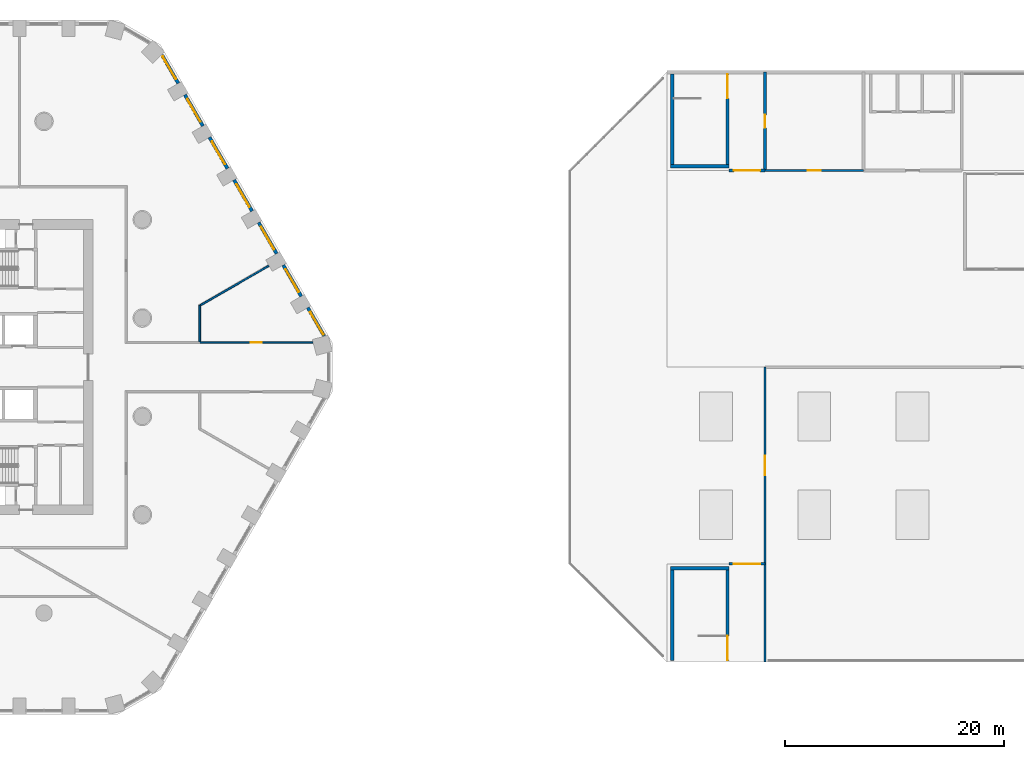
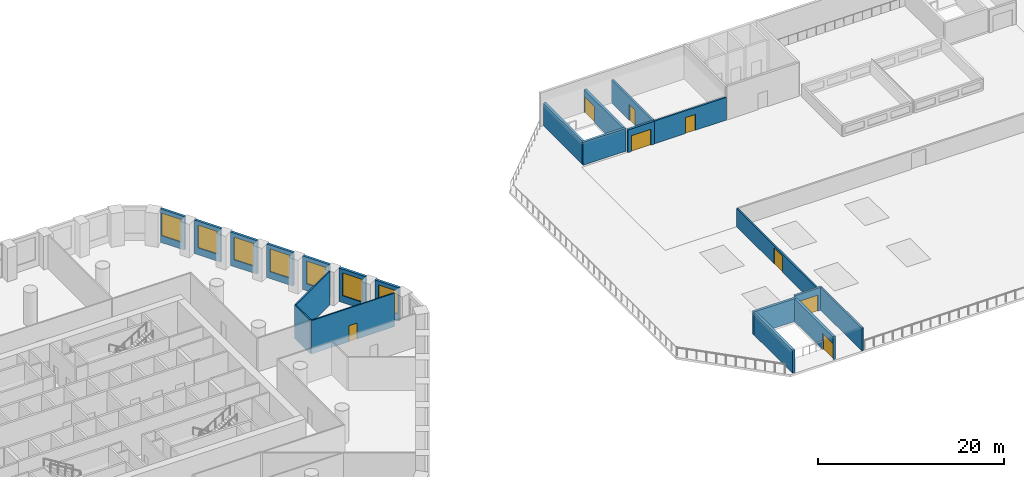
# One storey, part 13 of 21: 22 walls, 8 doors, 7 windows, 15 openings.
"""IFC4 building model written with IfcOpenShell, lengths in metres."""

import ifcopenshell
import ifcopenshell.guid

model = None  # the IFC model being written
_history = None  # IfcOwnerHistory: only IFC2X3 demands one
_inside = {}  # id of a spatial element -> (the spatial element, [elements in it])
_under = {}  # id of a project, library or spatial element -> (it, [spatial elements below it])
_declared = {}  # id of a project -> (the project, [libraries it declares])
_typed = {}  # id of a type object -> (the type object, [elements of that type])
_made_of = {}  # id of a material, layer set ... -> (it, [elements and type objects made of it])


def new_model(schema):
    """Start an empty IFC model of exactly this schema.

    Asked for "IFC4X3", IfcOpenShell would pick the latest addendum, in which some entities
    have other attributes; the version numbers below select the first issue.
    IFC2X3 requires an IfcOwnerHistory on every rooted entity: one is made here for all.
    """
    global model, _history
    if schema == "IFC4X3":
        model = ifcopenshell.file(schema_version=(4, 3, 0, 0))
    else:
        model = ifcopenshell.file(schema=schema)
    _inside.clear()
    _under.clear()
    _declared.clear()
    _typed.clear()
    _made_of.clear()
    _history = None
    if model.schema == "IFC2X3":
        org = make("IfcOrganization", Name="unknown")
        user = make(
            "IfcPersonAndOrganization",
            ThePerson=make("IfcPerson", FamilyName="unknown"),
            TheOrganization=org,
        )
        app = make(
            "IfcApplication",
            ApplicationDeveloper=org,
            Version="unknown",
            ApplicationFullName="unknown",
            ApplicationIdentifier="unknown",
        )
        _history = make(
            "IfcOwnerHistory",
            OwningUser=user,
            OwningApplication=app,
            ChangeAction="ADDED",
            CreationDate=0,
        )
    return model


def make(cls, **values):
    """One entity of the class cls with the attributes given. An attribute that is None is left unset."""
    return model.create_entity(
        cls, **{name: value for name, value in values.items() if value is not None}
    )


def rooted(cls, **values):
    """An entity with a GlobalId (a new one), such as an element, a storey or a relation."""
    return make(cls, GlobalId=ifcopenshell.guid.new(), OwnerHistory=_history, **values)


def si_unit(unit_type, name, prefix=None):
    """IfcSIUnit, for example si_unit("LENGTHUNIT", "METRE", prefix="MILLI")."""
    return make("IfcSIUnit", UnitType=unit_type, Prefix=prefix, Name=name)


def assignment(units):
    """IfcUnitAssignment: the units of a project."""
    return None if units is None else make("IfcUnitAssignment", Units=units)


def point(xyz):
    """IfcCartesianPoint."""
    return None if xyz is None else make("IfcCartesianPoint", Coordinates=xyz)


def direction(xyz):
    """IfcDirection."""
    return None if xyz is None else make("IfcDirection", DirectionRatios=xyz)


def frame(location, z_axis=None, x_axis=None):
    """IfcAxis2Placement3D, a coordinate frame: its origin and axes. An axis left out is left unset."""
    return make(
        "IfcAxis2Placement3D",
        Location=point(location),
        Axis=direction(z_axis),
        RefDirection=direction(x_axis),
    )


def frame_2d(location, x_axis=None):
    """IfcAxis2Placement2D, a coordinate frame in the plane: its origin and x axis."""
    return make(
        "IfcAxis2Placement2D", Location=point(location), RefDirection=direction(x_axis)
    )


def origin():
    """The frame at (0, 0, 0) with its axes left unset."""
    return frame((0.0, 0.0, 0.0))


def place(relative_to, where):
    """IfcLocalPlacement: puts the frame where relative to a parent placement (None: the world)."""
    return make(
        "IfcLocalPlacement", PlacementRelTo=relative_to, RelativePlacement=where
    )


def context(
    kind, dimensions, precision=None, world=None, true_north=None, identifier=None
):
    """IfcGeometricRepresentationContext, for example the 3D "Model" context."""
    return make(
        "IfcGeometricRepresentationContext",
        ContextIdentifier=identifier,
        ContextType=kind,
        CoordinateSpaceDimension=dimensions,
        Precision=precision,
        WorldCoordinateSystem=world,
        TrueNorth=true_north,
    )


def subcontext(parent, identifier, kind, view, scale=None):
    """IfcGeometricRepresentationSubContext, for example "Body" below "Model"."""
    return make(
        "IfcGeometricRepresentationSubContext",
        ContextIdentifier=identifier,
        ContextType=kind,
        ParentContext=parent,
        TargetScale=scale,
        TargetView=view,
    )


def project(units=None, contexts=None):
    """IfcProject with its units and contexts."""
    return rooted(
        "IfcProject",
        Name="project",
        RepresentationContexts=contexts,
        UnitsInContext=assignment(units),
    )


def spatial(cls, under=None, at=None, **own):
    """A site, building, storey or space (cls), placed at a placement, below another one or the project."""
    s = rooted(cls, ObjectPlacement=at, **own)
    if under is not None:
        _under.setdefault(under.id(), (under, []))[1].append(s)
    return s


def profile(cls, at=None, kind="AREA", **sizes):
    """A parametric profile (cls). Its sizes go by their IFC names, for example OverallWidth=200.0."""
    return make(cls, ProfileType=kind, Position=at, **sizes)


def rectangle(**sizes):
    """IfcRectangleProfileDef."""
    return profile("IfcRectangleProfileDef", **sizes)


def extrude(swept, where, along, depth):
    """IfcExtrudedAreaSolid: the profile swept, set in the frame where, extruded along a direction by depth."""
    return make(
        "IfcExtrudedAreaSolid",
        SweptArea=swept,
        Position=where,
        ExtrudedDirection=direction(along),
        Depth=depth,
    )


def shape(context_of_items, identifier, shape_type, items):
    """IfcShapeRepresentation: the items that make up one representation, for example the "Body"."""
    return make(
        "IfcShapeRepresentation",
        ContextOfItems=context_of_items,
        RepresentationIdentifier=identifier,
        RepresentationType=shape_type,
        Items=items,
    )


def material(Name=None, Category=None):
    """IfcMaterial."""
    return make("IfcMaterial", Name=Name, Category=Category)


def layer(
    of_material, thickness, ventilated=None, Name=None, Category=None, Priority=None
):
    """IfcMaterialLayer: one layer of a wall or slab, of a material (None: an air gap)."""
    return make(
        "IfcMaterialLayer",
        Material=of_material,
        LayerThickness=thickness,
        IsVentilated=ventilated,
        Name=Name,
        Category=Category,
        Priority=Priority,
    )


def layer_set(layers, Name=None):
    """IfcMaterialLayerSet."""
    return make("IfcMaterialLayerSet", MaterialLayers=layers, LayerSetName=Name)


def made_of(thing, what):
    """Note that an element or type object is made of a material, layer set ...; save() writes the relation."""
    if what is not None:
        _made_of.setdefault(what.id(), (what, []))[1].append(thing)
    return thing


def type_object(cls, material=None, **own):
    """A type object (cls), such as IfcWallType, which elements share."""
    return made_of(rooted(cls, **own), material)


def element(
    cls,
    number,
    at=None,
    inside=None,
    cuts=None,
    type_object=None,
    material=None,
    context=None,
    identifier="Body",
    shape_type=None,
    held_by="IfcProductDefinitionShape",
    body=None,
    shapes=None,
    **own,
):
    """One element of the class cls, such as IfcWall. Its Tag is "e" and its number.

    at: its placement. inside: the storey or other place that contains it. cuts: it is an
    opening in that element (IfcRelVoidsElement). A single representation is given by context,
    identifier, shape_type and body (its items); several are given by shapes. held_by: the class
    of the entity that holds the representations. save() writes the other relations.
    """
    e = rooted(cls, Tag="e%d" % number, ObjectPlacement=at, **own)
    if body is not None:
        shapes = [shape(context, identifier, shape_type, body)]
    if shapes is not None:
        e.Representation = make(held_by, Representations=shapes)
    if inside is not None:
        _inside.setdefault(inside.id(), (inside, []))[1].append(e)
    if cuts is not None:
        rooted(
            "IfcRelVoidsElement", RelatingBuildingElement=cuts, RelatedOpeningElement=e
        )
    if type_object is not None:
        _typed.setdefault(type_object.id(), (type_object, []))[1].append(e)
    return made_of(e, material)


def fill(opening, filler):
    """IfcRelFillsElement: the door or window that sits in an opening."""
    return rooted(
        "IfcRelFillsElement",
        RelatingOpeningElement=opening,
        RelatedBuildingElement=filler,
    )


def aggregate(whole, parts):
    """IfcRelAggregates: a whole, such as a stair, and the parts it consists of."""
    return rooted("IfcRelAggregates", RelatingObject=whole, RelatedObjects=parts)


def save(model, path):
    """Write the relations noted so far, then the file.

    IfcRelAggregates (storeys below a building ...), IfcRelContainedInSpatialStructure (elements
    in a storey), IfcRelDefinesByType, IfcRelAssociatesMaterial and IfcRelDeclares: one each for
    every whole, place, type object, material and project.
    """
    for whole, parts in _under.values():
        aggregate(whole, parts)
    for where, things in _inside.values():
        rooted(
            "IfcRelContainedInSpatialStructure",
            RelatedElements=things,
            RelatingStructure=where,
        )
    for kind, things in _typed.values():
        rooted("IfcRelDefinesByType", RelatedObjects=things, RelatingType=kind)
    for what, things in _made_of.values():
        rooted("IfcRelAssociatesMaterial", RelatedObjects=things, RelatingMaterial=what)
    for by, libraries in _declared.values():
        rooted("IfcRelDeclares", RelatingContext=by, RelatedDefinitions=libraries)
    model.write(path)


model = new_model("IFC4")

# Units and contexts
model_context = context("Model", 3, precision=1e-05, world=origin(), true_north=direction((0.0, 1.0)))
body_context = subcontext(model_context, "Body", "Model", "MODEL_VIEW")
ifc_project = project(units=[si_unit("LENGTHUNIT", "METRE"), si_unit("AREAUNIT", "SQUARE_METRE"), si_unit("VOLUMEUNIT", "CUBIC_METRE"), si_unit("PLANEANGLEUNIT", "RADIAN"), si_unit("MASSUNIT", "GRAM", prefix="KILO")], contexts=[model_context])

# Site, building, storey
site_placement = place(None, origin())
site = spatial("IfcSite", under=ifc_project, at=site_placement, CompositionType="ELEMENT")
building_placement = place(site_placement, origin())
building = spatial("IfcBuilding", under=site, at=building_placement, Name="Dhurran Vertical Campus", CompositionType="ELEMENT")
storey_placement = place(building_placement, frame((0.0, 0.0, 20.39990234375)))
storey = spatial("IfcBuildingStorey", under=building, at=storey_placement, Name="L04", CompositionType="ELEMENT", Elevation=20.39990234375)

# Wall, opening, window
ifc_material_1 = material(Name="Precast concrete C50/60", Category="concrete")
ifc_layer_1 = layer(ifc_material_1, 0.300048828125)
ifc_layer_set_1 = layer_set([ifc_layer_1], Name="Precast concrete C50/60")
wall_type_1 = type_object("IfcWallType", Name="Precast spandrel wall 300", PredefinedType="SOLIDWALL", material=ifc_layer_set_1)
wall_1_placement = place(storey_placement, frame((39.138671875, 2.86376953125, 0.0), z_axis=(0.0, 0.0, 1.0), x_axis=(-0.49999586137, 0.866027793211, 0.0)))
wall_1 = element("IfcWall", 1, at=wall_1_placement, inside=storey, type_object=wall_type_1, Name="EW1 L04.18", PredefinedType="SOLIDWALL", context=body_context, shape_type="SweptSolid", body=[
    extrude(rectangle(XDim=2.98876953125, YDim=0.300048828125, at=frame_2d((1.494384765625, 0.0))), origin(), (0.0, 0.0, 1.0), 4.400146484375),
])
opening_1_placement = place(wall_1_placement, frame((0.139404296875, 0.0, 0.89990234375)))
opening_1 = element("IfcOpeningElement", 2, at=opening_1_placement, cuts=wall_1, Name="Opening WT2", PredefinedType="OPENING", context=body_context, shape_type="SweptSolid", body=[
    extrude(rectangle(XDim=2.39990234375, YDim=3.0, at=frame_2d((1.199951171875, 1.5))), frame((0.0, 0.159912109375, 0.0), z_axis=(0.0, -1.0, 0.0), x_axis=(1.0, 0.0, 0.0)), (0.0, 0.0, 1.0), 0.320068359375),
])
ifc_material_2 = material(Name="Aluminium frame with solar-control glass", Category="aluminium")
window_type = type_object("IfcWindowType", Name="Podium window 2400 x 3000", PartitioningType="SINGLE_PANEL", PredefinedType="WINDOW", material=ifc_material_2)
window_1_placement = place(opening_1_placement, origin())
window_1 = element("IfcWindow", 3, at=window_1_placement, inside=storey, type_object=window_type, Name="WT2 L04.18", OverallHeight=3.0, OverallWidth=2.39990234375, PartitioningType="SINGLE_PANEL", PredefinedType="WINDOW", context=body_context, shape_type="SweptSolid", body=[
    extrude(rectangle(XDim=2.39990234375, YDim=3.0, at=frame_2d((1.199951171875, 1.5))), frame((0.0, 0.030029296875, 0.0), z_axis=(0.0, -1.0, 0.0), x_axis=(1.0, 0.0, 0.0)), (0.0, 0.0, 1.0), 0.06005859375),
])
fill(opening_1, window_1)

wall_2_placement = place(storey_placement, frame((37.043701171875, 6.4921875, 0.0), z_axis=(0.0, 0.0, 1.0), x_axis=(-0.499991515992, 0.866030301974, 0.0)))
wall_2 = element("IfcWall", 4, at=wall_2_placement, inside=storey, type_object=wall_type_1, Name="EW1 L04.19", PredefinedType="SOLIDWALL", context=body_context, shape_type="SweptSolid", body=[
    extrude(rectangle(XDim=3.298828125, YDim=0.300048828125, at=frame_2d((1.6494140625, 0.0))), origin(), (0.0, 0.0, 1.0), 4.400146484375),
])
opening_2_placement = place(wall_2_placement, frame((0.449462890625, 0.0, 0.89990234375)))
opening_2 = element("IfcOpeningElement", 5, at=opening_2_placement, cuts=wall_2, Name="Opening WT2", PredefinedType="OPENING", context=body_context, shape_type="SweptSolid", body=[
    extrude(rectangle(XDim=2.39990234375, YDim=3.0, at=frame_2d((1.199951171875, 1.5))), frame((0.0, 0.159912109375, 0.0), z_axis=(0.0, -1.0, 0.0), x_axis=(1.0, 0.0, 0.0)), (0.0, 0.0, 1.0), 0.320068359375),
])
window_2_placement = place(opening_2_placement, origin())
window_2 = element("IfcWindow", 6, at=window_2_placement, inside=storey, type_object=window_type, Name="WT2 L04.19", OverallHeight=3.0, OverallWidth=2.39990234375, PartitioningType="SINGLE_PANEL", PredefinedType="WINDOW", context=body_context, shape_type="SweptSolid", body=[
    extrude(rectangle(XDim=2.39990234375, YDim=3.0, at=frame_2d((1.199951171875, 1.5))), frame((0.0, 0.030029296875, 0.0), z_axis=(0.0, -1.0, 0.0), x_axis=(1.0, 0.0, 0.0)), (0.0, 0.0, 1.0), 0.06005859375),
])
fill(opening_2, window_2)

wall_3_placement = place(storey_placement, frame((34.793701171875, 10.389404296875, 0.0), z_axis=(0.0, 0.0, 1.0), x_axis=(-0.499991515992, 0.866030301974, 0.0)))
wall_3 = element("IfcWall", 7, at=wall_3_placement, inside=storey, type_object=wall_type_1, Name="EW1 L04.20", PredefinedType="SOLIDWALL", context=body_context, shape_type="SweptSolid", body=[
    extrude(rectangle(XDim=3.298828125, YDim=0.300048828125, at=frame_2d((1.6494140625, 0.0))), origin(), (0.0, 0.0, 1.0), 4.400146484375),
])
opening_3_placement = place(wall_3_placement, frame((0.449462890625, 0.0, 0.89990234375)))
opening_3 = element("IfcOpeningElement", 8, at=opening_3_placement, cuts=wall_3, Name="Opening WT2", PredefinedType="OPENING", context=body_context, shape_type="SweptSolid", body=[
    extrude(rectangle(XDim=2.39990234375, YDim=3.0, at=frame_2d((1.199951171875, 1.5))), frame((0.0, 0.159912109375, 0.0), z_axis=(0.0, -1.0, 0.0), x_axis=(1.0, 0.0, 0.0)), (0.0, 0.0, 1.0), 0.320068359375),
])
window_3_placement = place(opening_3_placement, origin())
window_3 = element("IfcWindow", 9, at=window_3_placement, inside=storey, type_object=window_type, Name="WT2 L04.20", OverallHeight=3.0, OverallWidth=2.39990234375, PartitioningType="SINGLE_PANEL", PredefinedType="WINDOW", context=body_context, shape_type="SweptSolid", body=[
    extrude(rectangle(XDim=2.39990234375, YDim=3.0, at=frame_2d((1.199951171875, 1.5))), frame((0.0, 0.030029296875, 0.0), z_axis=(0.0, -1.0, 0.0), x_axis=(1.0, 0.0, 0.0)), (0.0, 0.0, 1.0), 0.06005859375),
])
fill(opening_3, window_3)

wall_4_placement = place(storey_placement, frame((32.543701171875, 14.286376953125, 0.0), z_axis=(0.0, 0.0, 1.0), x_axis=(-0.499991515992, 0.866030301974, 0.0)))
wall_4 = element("IfcWall", 10, at=wall_4_placement, inside=storey, type_object=wall_type_1, Name="EW1 L04.21", PredefinedType="SOLIDWALL", context=body_context, shape_type="SweptSolid", body=[
    extrude(rectangle(XDim=3.298828125, YDim=0.300048828125, at=frame_2d((1.6494140625, 0.0))), origin(), (0.0, 0.0, 1.0), 4.400146484375),
])
opening_4_placement = place(wall_4_placement, frame((0.449462890625, 0.0, 0.89990234375)))
opening_4 = element("IfcOpeningElement", 11, at=opening_4_placement, cuts=wall_4, Name="Opening WT2", PredefinedType="OPENING", context=body_context, shape_type="SweptSolid", body=[
    extrude(rectangle(XDim=2.39990234375, YDim=3.0, at=frame_2d((1.199951171875, 1.5))), frame((0.0, 0.159912109375, 0.0), z_axis=(0.0, -1.0, 0.0), x_axis=(1.0, 0.0, 0.0)), (0.0, 0.0, 1.0), 0.320068359375),
])
window_4_placement = place(opening_4_placement, origin())
window_4 = element("IfcWindow", 12, at=window_4_placement, inside=storey, type_object=window_type, Name="WT2 L04.21", OverallHeight=3.0, OverallWidth=2.39990234375, PartitioningType="SINGLE_PANEL", PredefinedType="WINDOW", context=body_context, shape_type="SweptSolid", body=[
    extrude(rectangle(XDim=2.39990234375, YDim=3.0, at=frame_2d((1.199951171875, 1.5))), frame((0.0, 0.030029296875, 0.0), z_axis=(0.0, -1.0, 0.0), x_axis=(1.0, 0.0, 0.0)), (0.0, 0.0, 1.0), 0.06005859375),
])
fill(opening_4, window_4)

wall_5_placement = place(storey_placement, frame((30.293701171875, 18.18359375, 0.0), z_axis=(0.0, 0.0, 1.0), x_axis=(-0.499991515992, 0.866030301974, 0.0)))
wall_5 = element("IfcWall", 13, at=wall_5_placement, inside=storey, type_object=wall_type_1, Name="EW1 L04.22", PredefinedType="SOLIDWALL", context=body_context, shape_type="SweptSolid", body=[
    extrude(rectangle(XDim=3.298828125, YDim=0.300048828125, at=frame_2d((1.6494140625, 0.0))), origin(), (0.0, 0.0, 1.0), 4.400146484375),
])
opening_5_placement = place(wall_5_placement, frame((0.449462890625, 0.0, 0.89990234375)))
opening_5 = element("IfcOpeningElement", 14, at=opening_5_placement, cuts=wall_5, Name="Opening WT2", PredefinedType="OPENING", context=body_context, shape_type="SweptSolid", body=[
    extrude(rectangle(XDim=2.39990234375, YDim=3.0, at=frame_2d((1.199951171875, 1.5))), frame((0.0, 0.159912109375, 0.0), z_axis=(0.0, -1.0, 0.0), x_axis=(1.0, 0.0, 0.0)), (0.0, 0.0, 1.0), 0.320068359375),
])
window_5_placement = place(opening_5_placement, origin())
window_5 = element("IfcWindow", 15, at=window_5_placement, inside=storey, type_object=window_type, Name="WT2 L04.22", OverallHeight=3.0, OverallWidth=2.39990234375, PartitioningType="SINGLE_PANEL", PredefinedType="WINDOW", context=body_context, shape_type="SweptSolid", body=[
    extrude(rectangle(XDim=2.39990234375, YDim=3.0, at=frame_2d((1.199951171875, 1.5))), frame((0.0, 0.030029296875, 0.0), z_axis=(0.0, -1.0, 0.0), x_axis=(1.0, 0.0, 0.0)), (0.0, 0.0, 1.0), 0.06005859375),
])
fill(opening_5, window_5)

wall_6_placement = place(storey_placement, frame((28.043701171875, 22.08056640625, 0.0), z_axis=(0.0, 0.0, 1.0), x_axis=(-0.499991515992, 0.866030301974, 0.0)))
wall_6 = element("IfcWall", 16, at=wall_6_placement, inside=storey, type_object=wall_type_1, Name="EW1 L04.23", PredefinedType="SOLIDWALL", context=body_context, shape_type="SweptSolid", body=[
    extrude(rectangle(XDim=3.298828125, YDim=0.300048828125, at=frame_2d((1.6494140625, 0.0))), origin(), (0.0, 0.0, 1.0), 4.400146484375),
])
opening_6_placement = place(wall_6_placement, frame((0.449462890625, 0.0, 0.89990234375)))
opening_6 = element("IfcOpeningElement", 17, at=opening_6_placement, cuts=wall_6, Name="Opening WT2", PredefinedType="OPENING", context=body_context, shape_type="SweptSolid", body=[
    extrude(rectangle(XDim=2.39990234375, YDim=3.0, at=frame_2d((1.199951171875, 1.5))), frame((0.0, 0.159912109375, 0.0), z_axis=(0.0, -1.0, 0.0), x_axis=(1.0, 0.0, 0.0)), (0.0, 0.0, 1.0), 0.320068359375),
])
window_6_placement = place(opening_6_placement, origin())
window_6 = element("IfcWindow", 18, at=window_6_placement, inside=storey, type_object=window_type, Name="WT2 L04.23", OverallHeight=3.0, OverallWidth=2.39990234375, PartitioningType="SINGLE_PANEL", PredefinedType="WINDOW", context=body_context, shape_type="SweptSolid", body=[
    extrude(rectangle(XDim=2.39990234375, YDim=3.0, at=frame_2d((1.199951171875, 1.5))), frame((0.0, 0.030029296875, 0.0), z_axis=(0.0, -1.0, 0.0), x_axis=(1.0, 0.0, 0.0)), (0.0, 0.0, 1.0), 0.06005859375),
])
fill(opening_6, window_6)

wall_7_placement = place(storey_placement, frame((25.793701171875, 25.977783203125, 0.0), z_axis=(0.0, 0.0, 1.0), x_axis=(-0.49999586137, 0.866027793211, 0.0)))
wall_7 = element("IfcWall", 19, at=wall_7_placement, inside=storey, type_object=wall_type_1, Name="EW1 L04.24", PredefinedType="SOLIDWALL", context=body_context, shape_type="SweptSolid", body=[
    extrude(rectangle(XDim=2.98876953125, YDim=0.300048828125, at=frame_2d((1.494384765625, 0.0))), origin(), (0.0, 0.0, 1.0), 4.400146484375),
])
opening_7_placement = place(wall_7_placement, frame((0.449462890625, 0.0, 0.89990234375)))
opening_7 = element("IfcOpeningElement", 20, at=opening_7_placement, cuts=wall_7, Name="Opening WT2", PredefinedType="OPENING", context=body_context, shape_type="SweptSolid", body=[
    extrude(rectangle(XDim=2.39990234375, YDim=3.0, at=frame_2d((1.199951171875, 1.5))), frame((0.0, 0.159912109375, 0.0), z_axis=(0.0, -1.0, 0.0), x_axis=(1.0, 0.0, 0.0)), (0.0, 0.0, 1.0), 0.320068359375),
])
window_7_placement = place(opening_7_placement, origin())
window_7 = element("IfcWindow", 21, at=window_7_placement, inside=storey, type_object=window_type, Name="WT2 L04.24", OverallHeight=3.0, OverallWidth=2.39990234375, PartitioningType="SINGLE_PANEL", PredefinedType="WINDOW", context=body_context, shape_type="SweptSolid", body=[
    extrude(rectangle(XDim=2.39990234375, YDim=3.0, at=frame_2d((1.199951171875, 1.5))), frame((0.0, 0.030029296875, 0.0), z_axis=(0.0, -1.0, 0.0), x_axis=(1.0, 0.0, 0.0)), (0.0, 0.0, 1.0), 0.06005859375),
])
fill(opening_7, window_7)

# Wall, opening, door
ifc_material_3 = material(Name="Gypsum board corridor wall on steel studs", Category="steel")
ifc_layer_2 = layer(ifc_material_3, 0.14990234375)
ifc_layer_set_2 = layer_set([ifc_layer_2], Name="Gypsum board corridor wall on steel studs")
wall_type_2 = type_object("IfcWallType", Name="fl-CW-150 corridor wall", PredefinedType="PARTITIONING", material=ifc_layer_set_2)
wall_8_placement = place(storey_placement, frame((27.75, 2.25, 0.0), z_axis=(0.0, 0.0, 1.0), x_axis=(1.0, 0.0, 0.0)))
wall_8 = element("IfcWall", 22, at=wall_8_placement, inside=storey, type_object=wall_type_2, Name="Partition 04-42", PredefinedType="PARTITIONING", context=body_context, shape_type="SweptSolid", body=[
    extrude(rectangle(XDim=10.365478515625, YDim=0.14990234375, at=frame_2d((5.1826171875, 0.0))), origin(), (0.0, 0.0, 1.0), 4.400146484375),
])
opening_8_placement = place(wall_8_placement, frame((4.6826171875, 0.0, 0.0)))
opening_8 = element("IfcOpeningElement", 23, at=opening_8_placement, cuts=wall_8, Name="Opening PD04.15", PredefinedType="OPENING", context=body_context, shape_type="SweptSolid", body=[
    extrude(rectangle(XDim=1.0, YDim=2.10009765625, at=frame_2d((0.5, 1.050048828125))), frame((0.0, 0.0849609375, 0.0), z_axis=(0.0, -1.0, 0.0), x_axis=(1.0, 0.0, 0.0)), (0.0, 0.0, 1.0), 0.169921875),
])
ifc_material_4 = material(Name="Solid-core timber door set, fire-rated", Category="wood")
door_type_1 = type_object("IfcDoorType", Name="fl-D-1000x2100", OperationType="SINGLE_SWING_LEFT", PredefinedType="DOOR", material=ifc_material_4)
door_1_placement = place(opening_8_placement, origin())
door_1 = element("IfcDoor", 24, at=door_1_placement, inside=storey, type_object=door_type_1, Name="Door 04.15", OperationType="SINGLE_SWING_RIGHT", OverallHeight=2.10009765625, OverallWidth=1.0, PredefinedType="DOOR", context=body_context, shape_type="SweptSolid", body=[
    extrude(rectangle(XDim=1.0, YDim=2.10009765625, at=frame_2d((0.5, 1.050048828125))), frame((0.0, 0.02490234375, 0.0), z_axis=(0.0, -1.0, 0.0), x_axis=(1.0, 0.0, 0.0)), (0.0, 0.0, 1.0), 0.050048828125),
])
fill(opening_8, door_1)

# Walls
ifc_material_5 = material(Name="Gypsum board partition on steel studs", Category="steel")
ifc_layer_3 = layer(ifc_material_5, 0.14990234375)
ifc_layer_set_3 = layer_set([ifc_layer_3], Name="Gypsum board partition on steel studs")
wall_type_3 = type_object("IfcWallType", Name="fl-PW-150 fixed partition", PredefinedType="PARTITIONING", material=ifc_layer_set_3)
wall_9_placement = place(storey_placement, frame((27.75, 5.654052734375, 0.0), z_axis=(0.0, 0.0, 1.0), x_axis=(0.0, -1.0, 0.0)))
element("IfcWall", 25, at=wall_9_placement, inside=storey, type_object=wall_type_3, Name="Partition 04-41", PredefinedType="PARTITIONING", context=body_context, shape_type="SweptSolid", body=[
    extrude(rectangle(XDim=3.3291015625, YDim=0.14990234375, at=frame_2d((1.66455078125, 0.0))), origin(), (0.0, 0.0, 1.0), 4.400146484375),
])
wall_10_placement = place(storey_placement, frame((34.080810546875, 9.2841796875, 0.0), z_axis=(0.0, 0.0, 1.0), x_axis=(-0.866020942329, -0.500007727388, 0.0)))
element("IfcWall", 26, at=wall_10_placement, inside=storey, type_object=wall_type_3, Name="Partition 04-43", PredefinedType="PARTITIONING", context=body_context, shape_type="SweptSolid", body=[
    extrude(rectangle(XDim=7.2353515625, YDim=0.14990234375, at=frame_2d((3.61767578125, 0.0))), origin(), (0.0, 0.0, 1.0), 4.400146484375),
])

# Wall, opening, door
ifc_material_6 = material(Name="Masonry blockwork", Category="masonry")
ifc_layer_4 = layer(ifc_material_6, 0.199951171875)
ifc_layer_set_4 = layer_set([ifc_layer_4], Name="Masonry blockwork")
wall_type_4 = type_object("IfcWallType", Name="hl-partition blockwork 200 EI 60", PredefinedType="PARTITIONING", material=ifc_layer_set_4)
wall_11_placement = place(storey_placement, frame((79.5, 18.0, 0.0), z_axis=(0.0, 0.0, 1.0), x_axis=(1.0, 0.0, 0.0)))
wall_11 = element("IfcWall", 27, at=wall_11_placement, inside=storey, type_object=wall_type_4, Name="Hall partition L04-007", PredefinedType="PARTITIONING", context=body_context, shape_type="SweptSolid", body=[
    extrude(rectangle(XDim=9.0, YDim=0.199951171875, at=frame_2d((4.5, 0.0))), origin(), (0.0, 0.0, 1.0), 3.0),
])
opening_9_placement = place(wall_11_placement, frame((3.89990234375, 0.0, 0.0)))
opening_9 = element("IfcOpeningElement", 28, at=opening_9_placement, cuts=wall_11, Name="Opening HD405", PredefinedType="OPENING", context=body_context, shape_type="SweptSolid", body=[
    extrude(rectangle(XDim=1.199951171875, YDim=2.10009765625, at=frame_2d((0.60009765625, 1.050048828125))), frame((0.0, 0.10986328125, 0.0), z_axis=(0.0, -1.0, 0.0), x_axis=(1.0, 0.0, 0.0)), (0.0, 0.0, 1.0), 0.219970703125),
])
ifc_material_7 = material(Name="Fire-rated steel door set", Category="steel")
door_type_2 = type_object("IfcDoorType", Name="hl-door 1200x2100 single FD30S", OperationType="NOTDEFINED", PredefinedType="DOOR", material=ifc_material_7)
door_2_placement = place(opening_9_placement, origin())
door_2 = element("IfcDoor", 29, at=door_2_placement, inside=storey, type_object=door_type_2, Name="Door HD405", OperationType="SINGLE_SWING_LEFT", OverallHeight=2.10009765625, OverallWidth=1.199951171875, PredefinedType="DOOR", context=body_context, shape_type="SweptSolid", body=[
    extrude(rectangle(XDim=1.199951171875, YDim=2.10009765625, at=frame_2d((0.60009765625, 1.050048828125))), frame((0.0, 0.02490234375, 0.0), z_axis=(0.0, -1.0, 0.0), x_axis=(1.0, 0.0, 0.0)), (0.0, 0.0, 1.0), 0.050048828125),
])
fill(opening_9, door_2)

ifc_material_8 = material(Name="Masonry blockwork", Category="masonry")
ifc_layer_5 = layer(ifc_material_8, 0.25)
ifc_layer_set_5 = layer_set([ifc_layer_5], Name="Masonry blockwork")
wall_type_5 = type_object("IfcWallType", Name="hl-partition blockwork 250 EI 120", PredefinedType="PARTITIONING", material=ifc_layer_set_5)
wall_12_placement = place(storey_placement, frame((76.199951171875, -18.0, 0.0), z_axis=(0.0, 0.0, 1.0), x_axis=(1.0, 0.0, 0.0)))
wall_12 = element("IfcWall", 30, at=wall_12_placement, inside=storey, type_object=wall_type_5, Name="Hall partition L04-001", PredefinedType="PARTITIONING", context=body_context, shape_type="SweptSolid", body=[
    extrude(rectangle(XDim=3.300048828125, YDim=0.25, at=frame_2d((1.64990234375, 0.0))), origin(), (0.0, 0.0, 1.0), 3.0),
])
opening_10_placement = place(wall_12_placement, frame((0.449951171875, 0.0, 0.0)))
opening_10 = element("IfcOpeningElement", 31, at=opening_10_placement, cuts=wall_12, Name="Opening HD406", PredefinedType="OPENING", context=body_context, shape_type="SweptSolid", body=[
    extrude(rectangle(XDim=2.39990234375, YDim=2.10009765625, at=frame_2d((1.199951171875, 1.050048828125))), frame((0.0, 0.135009765625, 0.0), z_axis=(0.0, -1.0, 0.0), x_axis=(1.0, 0.0, 0.0)), (0.0, 0.0, 1.0), 0.27001953125),
])
ifc_material_9 = material(Name="Fire-rated steel door set", Category="steel")
door_type_3 = type_object("IfcDoorType", Name="hl-door 2400x2100 double FD90", OperationType="NOTDEFINED", PredefinedType="DOOR", material=ifc_material_9)
door_3_placement = place(opening_10_placement, origin())
door_3 = element("IfcDoor", 32, at=door_3_placement, inside=storey, type_object=door_type_3, Name="Door HD406", OperationType="DOUBLE_DOOR_SINGLE_SWING", OverallHeight=2.10009765625, OverallWidth=2.39990234375, PredefinedType="DOOR", context=body_context, shape_type="SweptSolid", body=[
    extrude(rectangle(XDim=2.39990234375, YDim=2.10009765625, at=frame_2d((1.199951171875, 1.050048828125))), frame((0.0, 0.02490234375, 0.0), z_axis=(0.0, -1.0, 0.0), x_axis=(1.0, 0.0, 0.0)), (0.0, 0.0, 1.0), 0.050048828125),
])
fill(opening_10, door_3)

wall_13_placement = place(storey_placement, frame((76.199951171875, 18.0, 0.0), z_axis=(0.0, 0.0, 1.0), x_axis=(1.0, 0.0, 0.0)))
wall_13 = element("IfcWall", 33, at=wall_13_placement, inside=storey, type_object=wall_type_5, Name="Hall partition L04-002", PredefinedType="PARTITIONING", context=body_context, shape_type="SweptSolid", body=[
    extrude(rectangle(XDim=3.300048828125, YDim=0.25, at=frame_2d((1.64990234375, 0.0))), origin(), (0.0, 0.0, 1.0), 3.0),
])
opening_11_placement = place(wall_13_placement, frame((0.449951171875, 0.0, 0.0)))
opening_11 = element("IfcOpeningElement", 34, at=opening_11_placement, cuts=wall_13, Name="Opening HD401", PredefinedType="OPENING", context=body_context, shape_type="SweptSolid", body=[
    extrude(rectangle(XDim=2.39990234375, YDim=2.10009765625, at=frame_2d((1.199951171875, 1.050048828125))), frame((0.0, 0.135009765625, 0.0), z_axis=(0.0, -1.0, 0.0), x_axis=(1.0, 0.0, 0.0)), (0.0, 0.0, 1.0), 0.27001953125),
])
door_4_placement = place(opening_11_placement, origin())
door_4 = element("IfcDoor", 35, at=door_4_placement, inside=storey, type_object=door_type_3, Name="Door HD401", OperationType="DOUBLE_DOOR_SINGLE_SWING", OverallHeight=2.10009765625, OverallWidth=2.39990234375, PredefinedType="DOOR", context=body_context, shape_type="SweptSolid", body=[
    extrude(rectangle(XDim=2.39990234375, YDim=2.10009765625, at=frame_2d((1.199951171875, 1.050048828125))), frame((0.0, 0.02490234375, 0.0), z_axis=(0.0, -1.0, 0.0), x_axis=(1.0, 0.0, 0.0)), (0.0, 0.0, 1.0), 0.050048828125),
])
fill(opening_11, door_4)

wall_14_placement = place(storey_placement, frame((79.5, 18.0, 0.0), z_axis=(0.0, 0.0, 1.0), x_axis=(0.0, 1.0, 0.0)))
wall_14 = element("IfcWall", 36, at=wall_14_placement, inside=storey, type_object=wall_type_5, Name="Hall partition L04-006", PredefinedType="PARTITIONING", context=body_context, shape_type="SweptSolid", body=[
    extrude(rectangle(XDim=9.0, YDim=0.25, at=frame_2d((4.5, 0.0))), origin(), (0.0, 0.0, 1.0), 3.0),
])
opening_12_placement = place(wall_14_placement, frame((3.89990234375, 0.0, 0.0)))
opening_12 = element("IfcOpeningElement", 37, at=opening_12_placement, cuts=wall_14, Name="Opening HD404", PredefinedType="OPENING", context=body_context, shape_type="SweptSolid", body=[
    extrude(rectangle(XDim=1.199951171875, YDim=2.10009765625, at=frame_2d((0.60009765625, 1.050048828125))), frame((0.0, 0.135009765625, 0.0), z_axis=(0.0, -1.0, 0.0), x_axis=(1.0, 0.0, 0.0)), (0.0, 0.0, 1.0), 0.27001953125),
])
ifc_material_10 = material(Name="Fire-rated steel door set", Category="steel")
door_type_4 = type_object("IfcDoorType", Name="hl-door 1200x2100 single FD90", OperationType="NOTDEFINED", PredefinedType="DOOR", material=ifc_material_10)
door_5_placement = place(opening_12_placement, origin())
door_5 = element("IfcDoor", 38, at=door_5_placement, inside=storey, type_object=door_type_4, Name="Door HD404", OperationType="SINGLE_SWING_RIGHT", OverallHeight=2.10009765625, OverallWidth=1.199951171875, PredefinedType="DOOR", context=body_context, shape_type="SweptSolid", body=[
    extrude(rectangle(XDim=1.199951171875, YDim=2.10009765625, at=frame_2d((0.60009765625, 1.050048828125))), frame((0.0, 0.02490234375, 0.0), z_axis=(0.0, -1.0, 0.0), x_axis=(1.0, 0.0, 0.0)), (0.0, 0.0, 1.0), 0.050048828125),
])
fill(opening_12, door_5)

# Wall
ifc_material_11 = material(Name="Concrete C40/50", Category="concrete")
ifc_layer_6 = layer(ifc_material_11, 0.199951171875)
ifc_layer_set_6 = layer_set([ifc_layer_6], Name="Concrete C40/50")
wall_type_6 = type_object("IfcWallType", Name="hl-plant screen wall 200", PredefinedType="SOLIDWALL", material=ifc_layer_set_6)
wall_15_placement = place(storey_placement, frame((79.5, -27.0, 0.0), z_axis=(0.0, 0.0, 1.0), x_axis=(0.0, 1.0, 0.0)))
element("IfcWall", 39, at=wall_15_placement, inside=storey, type_object=wall_type_6, Name="Hall partition L04-003", PredefinedType="SOLIDWALL", context=body_context, shape_type="SweptSolid", body=[
    extrude(rectangle(XDim=9.0, YDim=0.199951171875, at=frame_2d((4.5, 0.0))), origin(), (0.0, 0.0, 1.0), 3.0),
])

# Wall, opening, door
wall_16_placement = place(storey_placement, frame((79.5, -18.0, 0.0), z_axis=(0.0, 0.0, 1.0), x_axis=(0.0, 1.0, 0.0)))
wall_16 = element("IfcWall", 40, at=wall_16_placement, inside=storey, type_object=wall_type_6, Name="Hall partition L04-004", PredefinedType="SOLIDWALL", context=body_context, shape_type="SweptSolid", body=[
    extrude(rectangle(XDim=18.0, YDim=0.199951171875, at=frame_2d((9.0, 0.0))), origin(), (0.0, 0.0, 1.0), 2.400146484375),
])
opening_13_placement = place(wall_16_placement, frame((8.10009765625, 0.0, 0.0)))
opening_13 = element("IfcOpeningElement", 41, at=opening_13_placement, cuts=wall_16, Name="Opening HD408", PredefinedType="OPENING", context=body_context, shape_type="SweptSolid", body=[
    extrude(rectangle(XDim=1.800048828125, YDim=2.10009765625, at=frame_2d((0.89990234375, 1.050048828125))), frame((0.0, 0.10986328125, 0.0), z_axis=(0.0, -1.0, 0.0), x_axis=(1.0, 0.0, 0.0)), (0.0, 0.0, 1.0), 0.219970703125),
])
ifc_material_12 = material(Name="Fire-rated steel door set", Category="steel")
door_type_5 = type_object("IfcDoorType", Name="hl-door 1800x2100 double FD90", OperationType="NOTDEFINED", PredefinedType="DOOR", material=ifc_material_12)
door_6_placement = place(opening_13_placement, origin())
door_6 = element("IfcDoor", 42, at=door_6_placement, inside=storey, type_object=door_type_5, Name="Door HD408", OperationType="DOUBLE_DOOR_SINGLE_SWING", OverallHeight=2.10009765625, OverallWidth=1.800048828125, PredefinedType="DOOR", context=body_context, shape_type="SweptSolid", body=[
    extrude(rectangle(XDim=1.800048828125, YDim=2.10009765625, at=frame_2d((0.89990234375, 1.050048828125))), frame((0.0, 0.02490234375, 0.0), z_axis=(0.0, -1.0, 0.0), x_axis=(1.0, 0.0, 0.0)), (0.0, 0.0, 1.0), 0.050048828125),
])
fill(opening_13, door_6)

# Wall
ifc_material_13 = material(Name="Concrete C40/50", Category="concrete")
ifc_layer_7 = layer(ifc_material_13, 0.300048828125)
ifc_layer_set_7 = layer_set([ifc_layer_7], Name="Concrete C40/50")
wall_type_7 = type_object("IfcWallType", Name="hl-stair shaft wall 300", PredefinedType="SHEAR", material=ifc_layer_set_7)
wall_17_placement = place(storey_placement, frame((71.0, -26.85009765625, 0.0), z_axis=(0.0, 0.0, 1.0), x_axis=(0.0, 1.0, 0.0)))
element("IfcWall", 43, at=wall_17_placement, inside=storey, type_object=wall_type_7, Name="Stair shaft wall HST1 W L04", PredefinedType="SHEAR", context=body_context, shape_type="SweptSolid", body=[
    extrude(rectangle(XDim=8.300048828125, YDim=0.300048828125, at=frame_2d((4.14990234375, 0.0))), origin(), (0.0, 0.0, 1.0), 3.0),
])

# Wall, opening, door
wall_18_placement = place(storey_placement, frame((76.050048828125, -26.85009765625, 0.0), z_axis=(0.0, 0.0, 1.0), x_axis=(0.0, 1.0, 0.0)))
wall_18 = element("IfcWall", 44, at=wall_18_placement, inside=storey, type_object=wall_type_7, Name="Stair shaft wall HST1 E L04", PredefinedType="SHEAR", context=body_context, shape_type="SweptSolid", body=[
    extrude(rectangle(XDim=8.300048828125, YDim=0.300048828125, at=frame_2d((4.14990234375, 0.0))), origin(), (0.0, 0.0, 1.0), 3.0),
])
opening_14_placement = place(wall_18_placement, frame((0.050048828125, 0.0, 0.0)))
opening_14 = element("IfcOpeningElement", 45, at=opening_14_placement, cuts=wall_18, Name="Opening HDS41", PredefinedType="OPENING", context=body_context, shape_type="SweptSolid", body=[
    extrude(rectangle(XDim=2.199951171875, YDim=2.10009765625, at=frame_2d((1.10009765625, 1.050048828125))), frame((0.0, 0.159912109375, 0.0), z_axis=(0.0, -1.0, 0.0), x_axis=(1.0, 0.0, 0.0)), (0.0, 0.0, 1.0), 0.320068359375),
])
ifc_material_14 = material(Name="Fire-rated steel door set", Category="steel")
door_type_6 = type_object("IfcDoorType", Name="hl-door 2200x2100 double FD90", OperationType="NOTDEFINED", PredefinedType="DOOR", material=ifc_material_14)
door_7_placement = place(opening_14_placement, origin())
door_7 = element("IfcDoor", 46, at=door_7_placement, inside=storey, type_object=door_type_6, Name="Door HDS41", OperationType="DOUBLE_DOOR_SINGLE_SWING", OverallHeight=2.10009765625, OverallWidth=2.199951171875, PredefinedType="DOOR", context=body_context, shape_type="SweptSolid", body=[
    extrude(rectangle(XDim=2.199951171875, YDim=2.10009765625, at=frame_2d((1.10009765625, 1.050048828125))), frame((0.0, 0.02490234375, 0.0), z_axis=(0.0, -1.0, 0.0), x_axis=(1.0, 0.0, 0.0)), (0.0, 0.0, 1.0), 0.050048828125),
])
fill(opening_14, door_7)

# Walls
wall_19_placement = place(storey_placement, frame((70.85009765625, -18.39990234375, 0.0), z_axis=(0.0, 0.0, 1.0), x_axis=(1.0, 0.0, 0.0)))
element("IfcWall", 47, at=wall_19_placement, inside=storey, type_object=wall_type_7, Name="Stair shaft wall HST1 F L04", PredefinedType="SHEAR", context=body_context, shape_type="SweptSolid", body=[
    extrude(rectangle(XDim=5.349853515625, YDim=0.300048828125, at=frame_2d((2.6748046875, 0.0))), origin(), (0.0, 0.0, 1.0), 3.0),
])
wall_20_placement = place(storey_placement, frame((71.0, 26.85009765625, 0.0), z_axis=(0.0, 0.0, 1.0), x_axis=(0.0, -1.0, 0.0)))
element("IfcWall", 48, at=wall_20_placement, inside=storey, type_object=wall_type_7, Name="Stair shaft wall HST3 W L04", PredefinedType="SHEAR", context=body_context, shape_type="SweptSolid", body=[
    extrude(rectangle(XDim=8.300048828125, YDim=0.300048828125, at=frame_2d((4.14990234375, 0.0))), origin(), (0.0, 0.0, 1.0), 3.0),
])

# Wall, opening, door
wall_21_placement = place(storey_placement, frame((76.050048828125, 26.85009765625, 0.0), z_axis=(0.0, 0.0, 1.0), x_axis=(0.0, -1.0, 0.0)))
wall_21 = element("IfcWall", 49, at=wall_21_placement, inside=storey, type_object=wall_type_7, Name="Stair shaft wall HST3 E L04", PredefinedType="SHEAR", context=body_context, shape_type="SweptSolid", body=[
    extrude(rectangle(XDim=8.300048828125, YDim=0.300048828125, at=frame_2d((4.14990234375, 0.0))), origin(), (0.0, 0.0, 1.0), 3.0),
])
opening_15_placement = place(wall_21_placement, frame((0.050048828125, 0.0, 0.0)))
opening_15 = element("IfcOpeningElement", 50, at=opening_15_placement, cuts=wall_21, Name="Opening HDS43", PredefinedType="OPENING", context=body_context, shape_type="SweptSolid", body=[
    extrude(rectangle(XDim=2.199951171875, YDim=2.10009765625, at=frame_2d((1.10009765625, 1.050048828125))), frame((0.0, 0.159912109375, 0.0), z_axis=(0.0, -1.0, 0.0), x_axis=(1.0, 0.0, 0.0)), (0.0, 0.0, 1.0), 0.320068359375),
])
door_8_placement = place(opening_15_placement, origin())
door_8 = element("IfcDoor", 51, at=door_8_placement, inside=storey, type_object=door_type_6, Name="Door HDS43", OperationType="DOUBLE_DOOR_SINGLE_SWING", OverallHeight=2.10009765625, OverallWidth=2.199951171875, PredefinedType="DOOR", context=body_context, shape_type="SweptSolid", body=[
    extrude(rectangle(XDim=2.199951171875, YDim=2.10009765625, at=frame_2d((1.10009765625, 1.050048828125))), frame((0.0, 0.02490234375, 0.0), z_axis=(0.0, -1.0, 0.0), x_axis=(1.0, 0.0, 0.0)), (0.0, 0.0, 1.0), 0.050048828125),
])
fill(opening_15, door_8)

# Wall
wall_22_placement = place(storey_placement, frame((70.85009765625, 18.39990234375, 0.0), z_axis=(0.0, 0.0, 1.0), x_axis=(1.0, 0.0, 0.0)))
element("IfcWall", 52, at=wall_22_placement, inside=storey, type_object=wall_type_7, Name="Stair shaft wall HST3 F L04", PredefinedType="SHEAR", context=body_context, shape_type="SweptSolid", body=[
    extrude(rectangle(XDim=5.349853515625, YDim=0.300048828125, at=frame_2d((2.6748046875, 0.0))), origin(), (0.0, 0.0, 1.0), 3.0),
])

save(model, "model.ifc")
